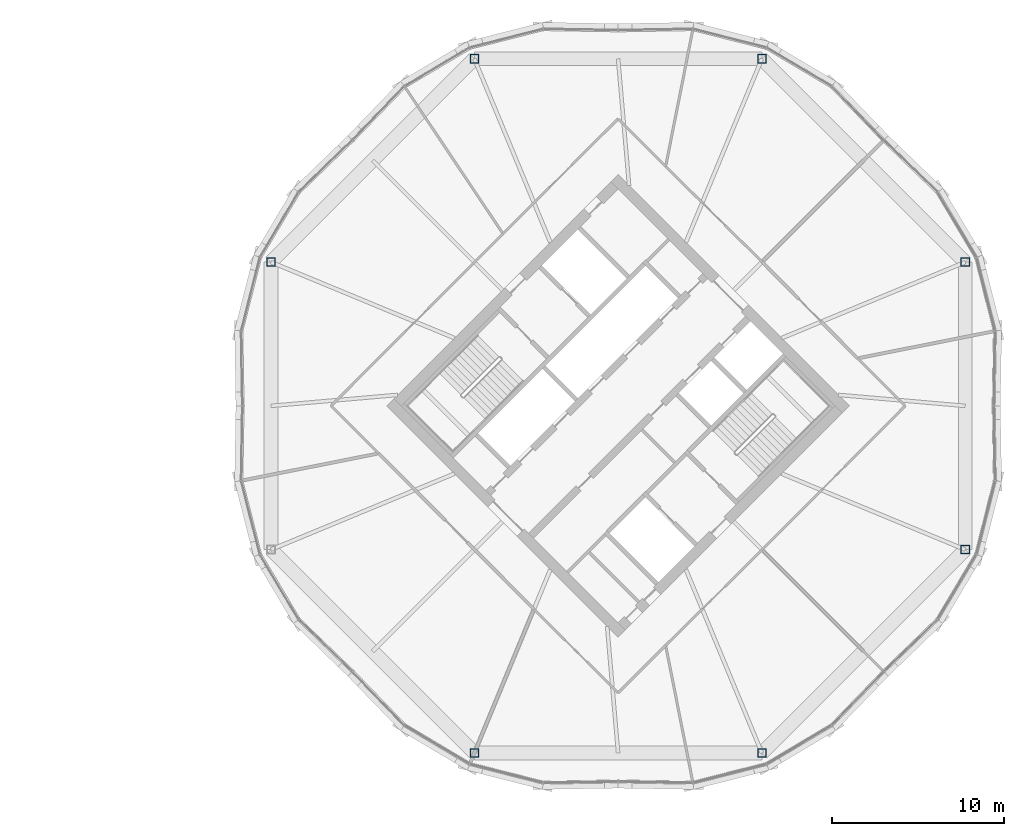
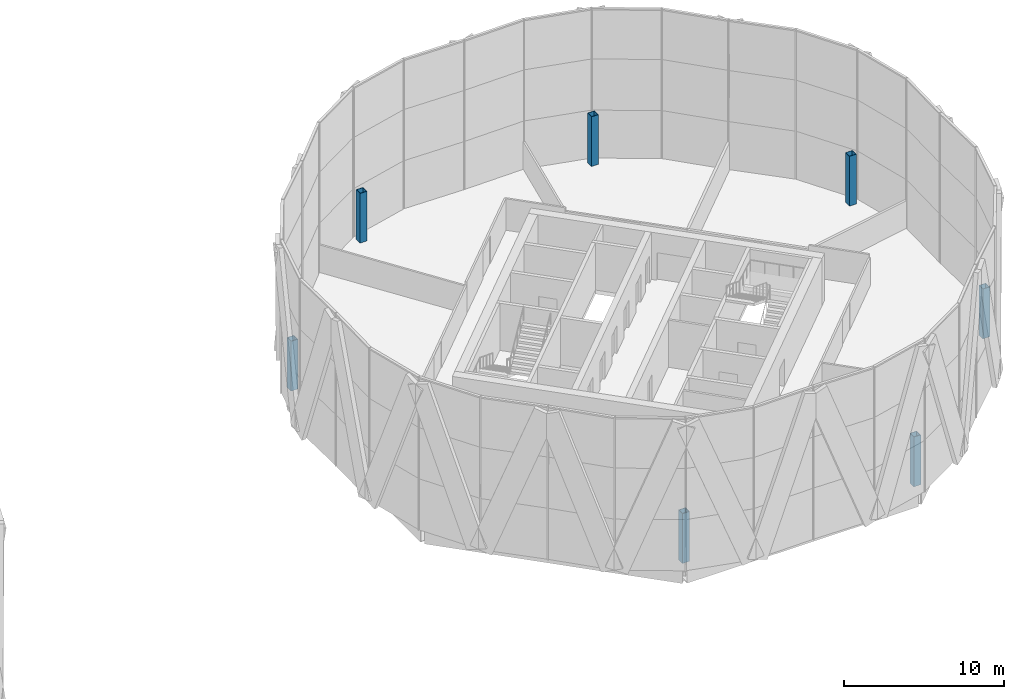
# One storey, part 2 of 23: 7 columns.
"""IFC4 building model written with IfcOpenShell, lengths in metres."""

import ifcopenshell
import ifcopenshell.guid

model = None  # the IFC model being written
_history = None  # IfcOwnerHistory: only IFC2X3 demands one
_inside = {}  # id of a spatial element -> (the spatial element, [elements in it])
_under = {}  # id of a project, library or spatial element -> (it, [spatial elements below it])
_declared = {}  # id of a project -> (the project, [libraries it declares])
_typed = {}  # id of a type object -> (the type object, [elements of that type])
_made_of = {}  # id of a material, layer set ... -> (it, [elements and type objects made of it])


def new_model(schema):
    """Start an empty IFC model of exactly this schema.

    Asked for "IFC4X3", IfcOpenShell would pick the latest addendum, in which some entities
    have other attributes; the version numbers below select the first issue.
    IFC2X3 requires an IfcOwnerHistory on every rooted entity: one is made here for all.
    """
    global model, _history
    if schema == "IFC4X3":
        model = ifcopenshell.file(schema_version=(4, 3, 0, 0))
    else:
        model = ifcopenshell.file(schema=schema)
    _inside.clear()
    _under.clear()
    _declared.clear()
    _typed.clear()
    _made_of.clear()
    _history = None
    if model.schema == "IFC2X3":
        org = make("IfcOrganization", Name="unknown")
        user = make(
            "IfcPersonAndOrganization",
            ThePerson=make("IfcPerson", FamilyName="unknown"),
            TheOrganization=org,
        )
        app = make(
            "IfcApplication",
            ApplicationDeveloper=org,
            Version="unknown",
            ApplicationFullName="unknown",
            ApplicationIdentifier="unknown",
        )
        _history = make(
            "IfcOwnerHistory",
            OwningUser=user,
            OwningApplication=app,
            ChangeAction="ADDED",
            CreationDate=0,
        )
    return model


def make(cls, **values):
    """One entity of the class cls with the attributes given. An attribute that is None is left unset."""
    return model.create_entity(
        cls, **{name: value for name, value in values.items() if value is not None}
    )


def rooted(cls, **values):
    """An entity with a GlobalId (a new one), such as an element, a storey or a relation."""
    return make(cls, GlobalId=ifcopenshell.guid.new(), OwnerHistory=_history, **values)


def si_unit(unit_type, name, prefix=None):
    """IfcSIUnit, for example si_unit("LENGTHUNIT", "METRE", prefix="MILLI")."""
    return make("IfcSIUnit", UnitType=unit_type, Prefix=prefix, Name=name)


def assignment(units):
    """IfcUnitAssignment: the units of a project."""
    return None if units is None else make("IfcUnitAssignment", Units=units)


def point(xyz):
    """IfcCartesianPoint."""
    return None if xyz is None else make("IfcCartesianPoint", Coordinates=xyz)


def direction(xyz):
    """IfcDirection."""
    return None if xyz is None else make("IfcDirection", DirectionRatios=xyz)


def frame(location, z_axis=None, x_axis=None):
    """IfcAxis2Placement3D, a coordinate frame: its origin and axes. An axis left out is left unset."""
    return make(
        "IfcAxis2Placement3D",
        Location=point(location),
        Axis=direction(z_axis),
        RefDirection=direction(x_axis),
    )


def frame_2d(location, x_axis=None):
    """IfcAxis2Placement2D, a coordinate frame in the plane: its origin and x axis."""
    return make(
        "IfcAxis2Placement2D", Location=point(location), RefDirection=direction(x_axis)
    )


def origin():
    """The frame at (0, 0, 0) with its axes left unset."""
    return frame((0.0, 0.0, 0.0))


def origin_2d():
    """The frame at (0, 0) in the plane with its x axis left unset."""
    return frame_2d((0.0, 0.0))


def place(relative_to, where):
    """IfcLocalPlacement: puts the frame where relative to a parent placement (None: the world)."""
    return make(
        "IfcLocalPlacement", PlacementRelTo=relative_to, RelativePlacement=where
    )


def context(
    kind, dimensions, precision=None, world=None, true_north=None, identifier=None
):
    """IfcGeometricRepresentationContext, for example the 3D "Model" context."""
    return make(
        "IfcGeometricRepresentationContext",
        ContextIdentifier=identifier,
        ContextType=kind,
        CoordinateSpaceDimension=dimensions,
        Precision=precision,
        WorldCoordinateSystem=world,
        TrueNorth=true_north,
    )


def subcontext(parent, identifier, kind, view, scale=None):
    """IfcGeometricRepresentationSubContext, for example "Body" below "Model"."""
    return make(
        "IfcGeometricRepresentationSubContext",
        ContextIdentifier=identifier,
        ContextType=kind,
        ParentContext=parent,
        TargetScale=scale,
        TargetView=view,
    )


def project(units=None, contexts=None):
    """IfcProject with its units and contexts."""
    return rooted(
        "IfcProject",
        Name="project",
        RepresentationContexts=contexts,
        UnitsInContext=assignment(units),
    )


def spatial(cls, under=None, at=None, **own):
    """A site, building, storey or space (cls), placed at a placement, below another one or the project."""
    s = rooted(cls, ObjectPlacement=at, **own)
    if under is not None:
        _under.setdefault(under.id(), (under, []))[1].append(s)
    return s


def profile(cls, at=None, kind="AREA", **sizes):
    """A parametric profile (cls). Its sizes go by their IFC names, for example OverallWidth=200.0."""
    return make(cls, ProfileType=kind, Position=at, **sizes)


def hollow_rectangle(**sizes):
    """IfcRectangleHollowProfileDef."""
    return profile("IfcRectangleHollowProfileDef", **sizes)


def extrude(swept, where, along, depth):
    """IfcExtrudedAreaSolid: the profile swept, set in the frame where, extruded along a direction by depth."""
    return make(
        "IfcExtrudedAreaSolid",
        SweptArea=swept,
        Position=where,
        ExtrudedDirection=direction(along),
        Depth=depth,
    )


def shape(context_of_items, identifier, shape_type, items):
    """IfcShapeRepresentation: the items that make up one representation, for example the "Body"."""
    return make(
        "IfcShapeRepresentation",
        ContextOfItems=context_of_items,
        RepresentationIdentifier=identifier,
        RepresentationType=shape_type,
        Items=items,
    )


def material(Name=None, Category=None):
    """IfcMaterial."""
    return make("IfcMaterial", Name=Name, Category=Category)


def material_profile(
    of_material, cross_section, Name=None, Category=None, Priority=None
):
    """IfcMaterialProfile: a cross section and its material."""
    return make(
        "IfcMaterialProfile",
        Name=Name,
        Material=of_material,
        Profile=cross_section,
        Priority=Priority,
        Category=Category,
    )


def profile_set(profiles, Name=None, composite=None):
    """IfcMaterialProfileSet."""
    return make(
        "IfcMaterialProfileSet",
        Name=Name,
        MaterialProfiles=profiles,
        CompositeProfile=composite,
    )


def made_of(thing, what):
    """Note that an element or type object is made of a material, layer set ...; save() writes the relation."""
    if what is not None:
        _made_of.setdefault(what.id(), (what, []))[1].append(thing)
    return thing


def type_object(cls, material=None, **own):
    """A type object (cls), such as IfcWallType, which elements share."""
    return made_of(rooted(cls, **own), material)


def element(
    cls,
    number,
    at=None,
    inside=None,
    cuts=None,
    type_object=None,
    material=None,
    context=None,
    identifier="Body",
    shape_type=None,
    held_by="IfcProductDefinitionShape",
    body=None,
    shapes=None,
    **own,
):
    """One element of the class cls, such as IfcWall. Its Tag is "e" and its number.

    at: its placement. inside: the storey or other place that contains it. cuts: it is an
    opening in that element (IfcRelVoidsElement). A single representation is given by context,
    identifier, shape_type and body (its items); several are given by shapes. held_by: the class
    of the entity that holds the representations. save() writes the other relations.
    """
    e = rooted(cls, Tag="e%d" % number, ObjectPlacement=at, **own)
    if body is not None:
        shapes = [shape(context, identifier, shape_type, body)]
    if shapes is not None:
        e.Representation = make(held_by, Representations=shapes)
    if inside is not None:
        _inside.setdefault(inside.id(), (inside, []))[1].append(e)
    if cuts is not None:
        rooted(
            "IfcRelVoidsElement", RelatingBuildingElement=cuts, RelatedOpeningElement=e
        )
    if type_object is not None:
        _typed.setdefault(type_object.id(), (type_object, []))[1].append(e)
    return made_of(e, material)


def aggregate(whole, parts):
    """IfcRelAggregates: a whole, such as a stair, and the parts it consists of."""
    return rooted("IfcRelAggregates", RelatingObject=whole, RelatedObjects=parts)


def save(model, path):
    """Write the relations noted so far, then the file.

    IfcRelAggregates (storeys below a building ...), IfcRelContainedInSpatialStructure (elements
    in a storey), IfcRelDefinesByType, IfcRelAssociatesMaterial and IfcRelDeclares: one each for
    every whole, place, type object, material and project.
    """
    for whole, parts in _under.values():
        aggregate(whole, parts)
    for where, things in _inside.values():
        rooted(
            "IfcRelContainedInSpatialStructure",
            RelatedElements=things,
            RelatingStructure=where,
        )
    for kind, things in _typed.values():
        rooted("IfcRelDefinesByType", RelatedObjects=things, RelatingType=kind)
    for what, things in _made_of.values():
        rooted("IfcRelAssociatesMaterial", RelatedObjects=things, RelatingMaterial=what)
    for by, libraries in _declared.values():
        rooted("IfcRelDeclares", RelatingContext=by, RelatedDefinitions=libraries)
    model.write(path)


model = new_model("IFC4")

# Units and contexts
model_context = context("Model", 3, precision=1e-05, world=origin(), true_north=direction((0.0, 1.0)))
body_context = subcontext(model_context, "Body", "Model", "MODEL_VIEW")
ifc_project = project(units=[si_unit("LENGTHUNIT", "METRE"), si_unit("AREAUNIT", "SQUARE_METRE"), si_unit("VOLUMEUNIT", "CUBIC_METRE"), si_unit("PLANEANGLEUNIT", "RADIAN"), si_unit("MASSUNIT", "GRAM", prefix="KILO")], contexts=[model_context])

# Site, building, storey
site_placement = place(None, origin())
site = spatial("IfcSite", under=ifc_project, at=site_placement, CompositionType="ELEMENT")
building_placement = place(site_placement, origin())
building = spatial("IfcBuilding", under=site, at=building_placement, Name="Ogive Gate Towers", CompositionType="ELEMENT")
storey_placement = place(building_placement, frame((0.0, 0.0, 177.300048828125)))
storey = spatial("IfcBuildingStorey", under=building, at=storey_placement, Name="L42", CompositionType="ELEMENT", Elevation=177.300048828125)

# Columns
ifc_material = material(Name="Steel SM460", Category="steel")
ifc_material_profile = material_profile(ifc_material, hollow_rectangle(XDim=0.5, YDim=0.5, WallThickness=0.030029296875, at=origin_2d()), Name="BX 500x500x30")
ifc_profile_set = profile_set([ifc_material_profile], Name="Steel SM460")
column_type = type_object("IfcColumnType", Name="Perimeter post BX 500x500x30", PredefinedType="COLUMN", material=ifc_profile_set)
for number, where, z_axis, x_axis, name in (
    (1, (56.14990234375, 8.346435546875, 0.0), (0.0, 0.0, 1.0), (1.0, 0.0, 0.0), "T2/L42/SCL001"),
    (2, (44.346435546875, 20.14990234375, 0.0), (0.0, 0.0, 1.0), (1.0, 0.0, 0.0), "T2/L42/SCL002"),
    (3, (27.653564453125, 20.14990234375, 0.0), (0.0, 0.0, 1.0), (1.0, 0.0, 0.0), "T2/L42/SCL003"),
    (4, (15.85009765625, 8.346435546875, 0.0), (0.0, 0.0, 1.0), (1.0, 0.0, 0.0), "T2/L42/SCL004"),
    (5, (27.653564453125, -20.14990234375, 0.0), (0.0, 0.0, 1.0), (1.0, 0.0, 0.0), "T2/L42/SCL006"),
    (6, (44.346435546875, -20.14990234375, 0.0), (0.0, 0.0, 1.0), (1.0, 0.0, 0.0), "T2/L42/SCL007"),
    (7, (56.14990234375, -8.346435546875, 0.0), (0.0, 0.0, 1.0), (1.0, 0.0, 0.0), "T2/L42/SCL008"),
):
    element("IfcColumn", number, at=place(storey_placement, frame(where, z_axis=z_axis, x_axis=x_axis)), inside=storey, type_object=column_type, Name=name, PredefinedType="COLUMN", context=body_context, shape_type="SweptSolid", body=[
        extrude(hollow_rectangle(XDim=0.5, YDim=0.5, WallThickness=0.030029296875, at=origin_2d()), origin(), (0.0, 0.0, 1.0), 3.800048828125),
    ])

save(model, "model.ifc")
